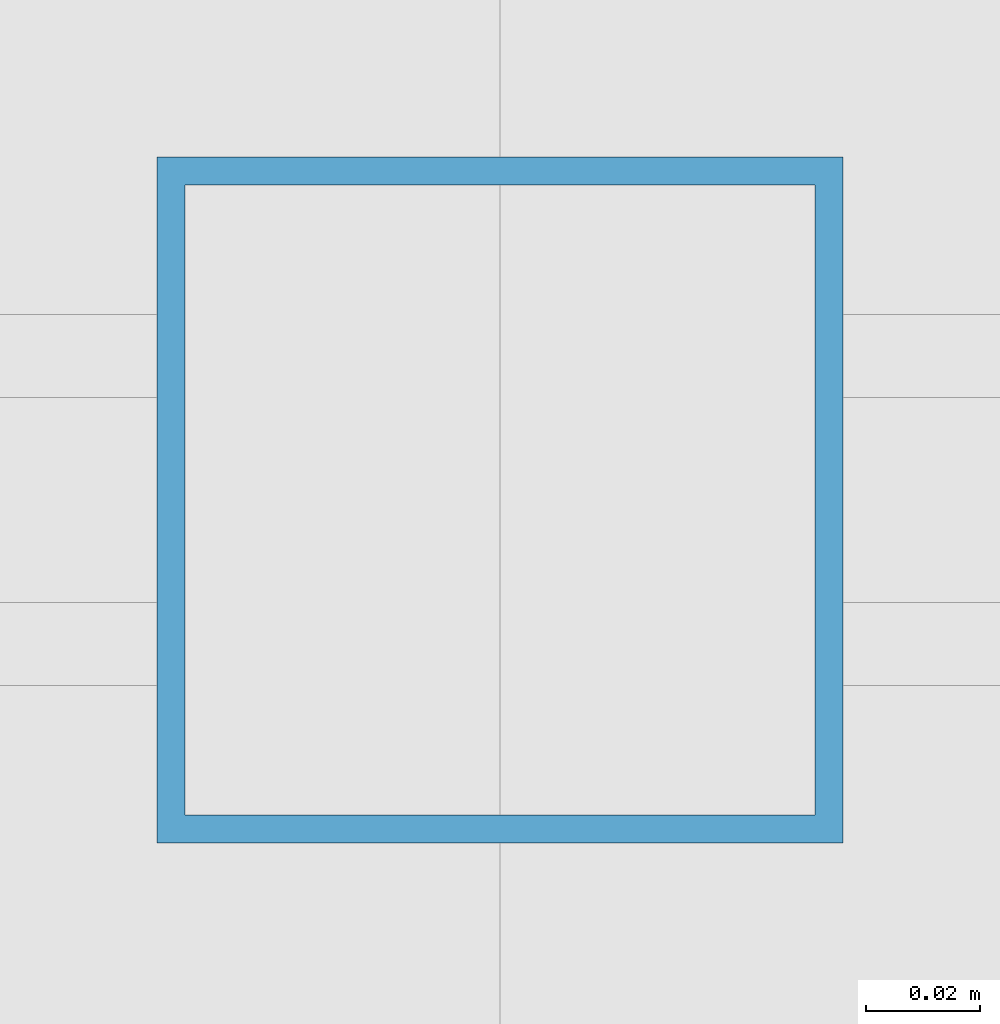
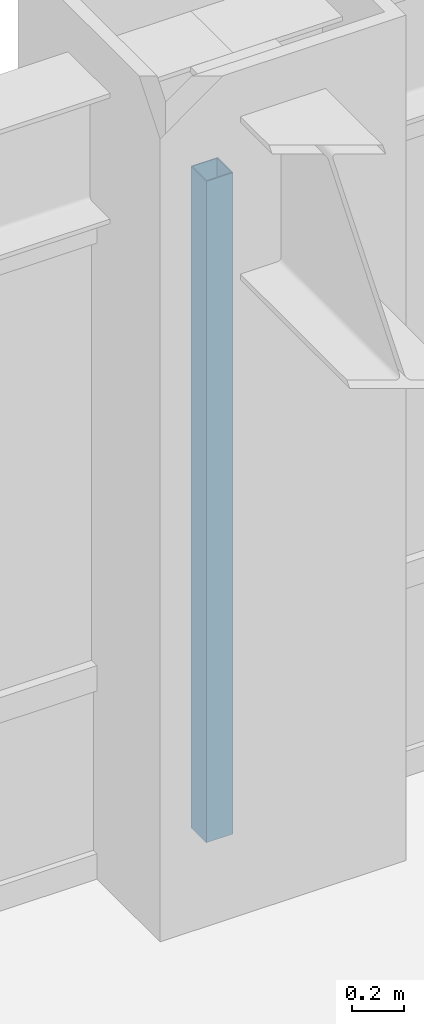
# One storey, part 16 of 24: 1 member, 1 element without a shape of its own.
"""IFC4 building model written with IfcOpenShell, lengths in metres."""

from ifc_helpers import new_model, si_unit, direction, frame, origin, origin_2d, place, context, subcontext, project, spatial, hollow_rectangle, extrude, source, transform, mapped, material, material_profile, profile_set, type_object, element, aggregate, save


model = new_model("IFC4")

# Units and contexts
model_context = context("Model", 3, precision=1e-05, world=origin(), true_north=direction((0.0, 1.0)))
body_context = subcontext(model_context, "Body", "Model", "MODEL_VIEW")
ifc_project = project(units=[si_unit("LENGTHUNIT", "METRE"), si_unit("AREAUNIT", "SQUARE_METRE"), si_unit("VOLUMEUNIT", "CUBIC_METRE"), si_unit("PLANEANGLEUNIT", "RADIAN"), si_unit("MASSUNIT", "GRAM", prefix="KILO")], contexts=[model_context])

# Site, building, storey
site_placement = place(None, origin())
site = spatial("IfcSite", under=ifc_project, at=site_placement, CompositionType="ELEMENT")
building_placement = place(site_placement, origin())
building = spatial("IfcBuilding", under=site, at=building_placement, Name="Khorayat Bourse Tower", CompositionType="ELEMENT")
storey_placement = place(building_placement, frame((0.0, 0.0, 203.10009765625)))
storey = spatial("IfcBuildingStorey", under=building, at=storey_placement, Name="L47", CompositionType="ELEMENT", Elevation=203.10009765625)

# Curtain wall, member
ifc_material = material(Name="Aluminium EN AW-6063 T6", Category="aluminium")
curtain_wall_type = type_object("IfcCurtainWallType", Name="CW-SYS-03", PredefinedType="NOTDEFINED", material=ifc_material)
curtain_wall_placement = place(storey_placement, origin())
curtain_wall = element("IfcCurtainWall", 1, at=curtain_wall_placement, inside=storey, type_object=curtain_wall_type, Name="L47 Curtain Wall CW-L47-N1", PredefinedType="NOTDEFINED")
ifc_material_profile = material_profile(ifc_material, hollow_rectangle(XDim=0.1201171875, YDim=0.1201171875, WallThickness=0.0048828125, at=origin_2d()), Name="ALU 120x120x5")
ifc_profile_set = profile_set([ifc_material_profile], Name="Aluminium EN AW-6063 T6")
member_type = type_object("IfcMemberType", Name="CWM-VERT-120", PredefinedType="MULLION", material=ifc_profile_set)
shared_shape = source(origin(), body_context, "Body", "SweptSolid", [
    extrude(hollow_rectangle(XDim=0.1201171875, YDim=0.1201171875, WallThickness=0.0048828125, at=origin_2d()), origin(), (0.0, 0.0, 1.0), 3.1298828125),
])
member_placement = place(storey_placement, frame((0.0, 30.0, 0.0), z_axis=(0.0, 0.0, 1.0), x_axis=(0.0, 1.0, 0.0)))
member = element("IfcMember", 2, at=member_placement, type_object=member_type, Name="CW-L47-N1 Vertical Mullion 2", PredefinedType="MULLION", context=body_context, shape_type="MappedRepresentation", body=[
    mapped(shared_shape, transform((0.0, 0.0, 0.0), scale=1.0)),
])
aggregate(curtain_wall, [member])

save(model, "model.ifc")
